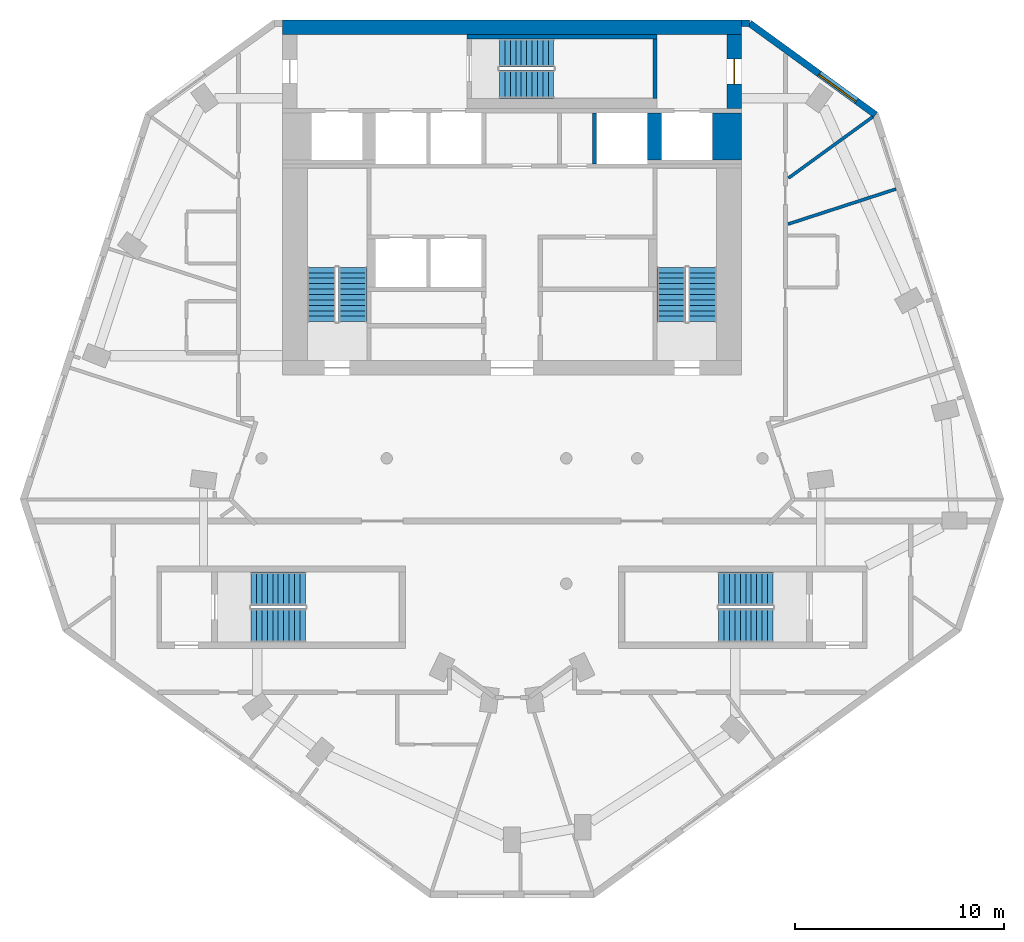
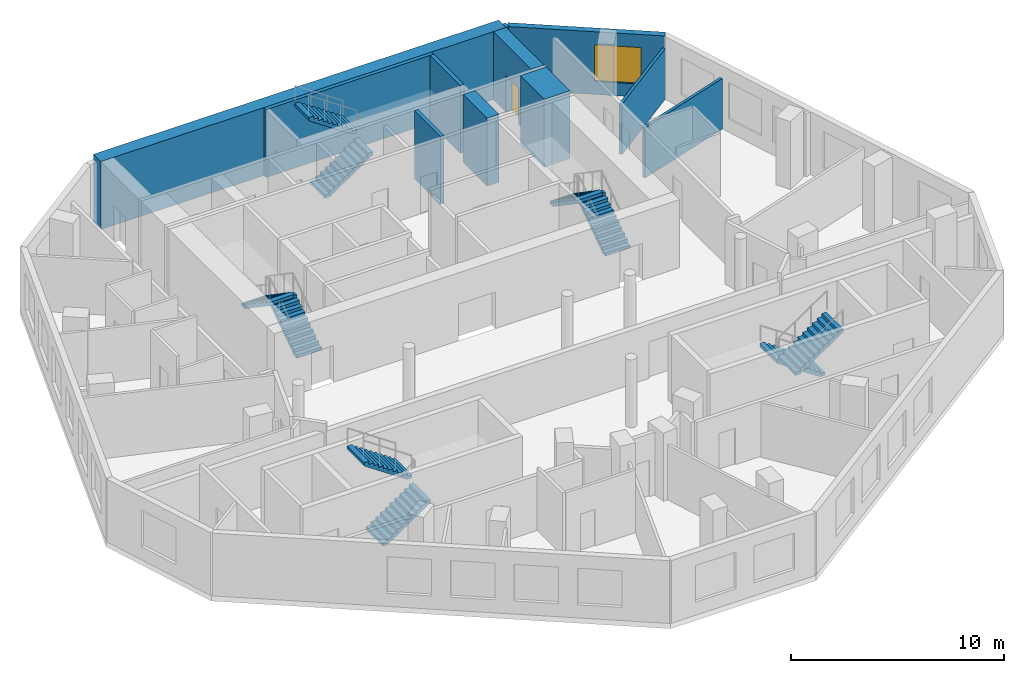
# One storey, part 6 of 8: 11 walls, 10 stair flights, 1 door, 1 window, 2 openings, 5 elements without a shape of their own.
"""IFC4 building model written with IfcOpenShell, lengths in metres."""

from ifc_helpers import new_model, si_unit, direction, frame, frame_2d, origin, place, context, subcontext, project, spatial, polyline, rectangle, outline, extrude, material, layer, layer_set, type_object, element, fill, aggregate, save


model = new_model("IFC4")

# Units and contexts
model_context = context("Model", 3, precision=1e-05, world=origin(), true_north=direction((0.0, 1.0)))
body_context = subcontext(model_context, "Body", "Model", "MODEL_VIEW")
ifc_project = project(units=[si_unit("LENGTHUNIT", "METRE"), si_unit("AREAUNIT", "SQUARE_METRE"), si_unit("VOLUMEUNIT", "CUBIC_METRE"), si_unit("PLANEANGLEUNIT", "RADIAN"), si_unit("MASSUNIT", "GRAM", prefix="KILO")], contexts=[model_context])

# Site, building, storey
site_placement = place(None, origin())
site = spatial("IfcSite", under=ifc_project, at=site_placement, CompositionType="ELEMENT")
building_placement = place(site_placement, origin())
building = spatial("IfcBuilding", under=site, at=building_placement, Name="White Candle Pilgrim Tower", CompositionType="ELEMENT")
storey_placement = place(building_placement, frame((0.0, 0.0, 267.800048828125)))
storey = spatial("IfcBuildingStorey", under=building, at=storey_placement, Name="L63", CompositionType="ELEMENT", Elevation=267.800048828125)

# Wall
ifc_material_1 = material(Name="Concrete C50/60", Category="concrete")
ifc_layer_1 = layer(ifc_material_1, 1.39990234375)
ifc_layer_set_1 = layer_set([ifc_layer_1], Name="Core wall 1400 mm Concrete C50/60")
wall_type_1 = type_object("IfcWallType", Name="Core wall 1400 mm Concrete C50/60", PredefinedType="SHEAR", material=ifc_layer_set_1)
wall_1_placement = place(storey_placement, frame((80.300048828125, 81.300048828125, 0.0), z_axis=(0.0, 0.0, 1.0), x_axis=(0.0, 1.0, 0.0)))
element("IfcWall", 1, at=wall_1_placement, inside=storey, type_object=wall_type_1, Name="WL-L63-C42", PredefinedType="SHEAR", context=body_context, shape_type="SweptSolid", body=[
    extrude(rectangle(XDim=2.25, YDim=1.39990234375, at=frame_2d((1.125, 0.0))), origin(), (0.0, 0.0, 1.0), 3.89990234375),
])

# Wall, opening, door
ifc_layer_2 = layer(ifc_material_1, 0.699951171875)
ifc_layer_set_2 = layer_set([ifc_layer_2], Name="Core wall 700 mm Concrete C50/60")
wall_type_2 = type_object("IfcWallType", Name="Core wall 700 mm Concrete C50/60", PredefinedType="SHEAR", material=ifc_layer_set_2)
wall_2_placement = place(storey_placement, frame((80.64990234375, 83.75, 0.0), z_axis=(0.0, 0.0, 1.0), x_axis=(0.0, 1.0, 0.0)))
wall_2 = element("IfcWall", 2, at=wall_2_placement, inside=storey, type_object=wall_type_2, Name="WL-L63-C46", PredefinedType="SHEAR", context=body_context, shape_type="SweptSolid", body=[
    extrude(rectangle(XDim=3.550048828125, YDim=0.699951171875, at=frame_2d((1.77490234375, 0.0))), origin(), (0.0, 0.0, 1.0), 3.89990234375),
])
opening_1_placement = place(wall_2_placement, frame((1.175048828125, 0.0, 0.0)))
opening_1 = element("IfcOpeningElement", 3, at=opening_1_placement, cuts=wall_2, Name="Opening T19-009", PredefinedType="OPENING", context=body_context, shape_type="SweptSolid", body=[
    extrude(rectangle(XDim=1.199951171875, YDim=2.10009765625, at=frame_2d((0.60009765625, 1.050048828125))), frame((0.0, 0.35986328125, 0.0), z_axis=(0.0, -1.0, 0.0), x_axis=(1.0, 0.0, 0.0)), (0.0, 0.0, 1.0), 0.719970703125),
])
ifc_material_2 = material(Name="Steel door leaf", Category="steel")
door_type = type_object("IfcDoorType", Name="Fire door 1200 x 2100 EI 30", OperationType="NOTDEFINED", PredefinedType="DOOR", material=ifc_material_2)
door_placement = place(opening_1_placement, origin())
door = element("IfcDoor", 4, at=door_placement, inside=storey, type_object=door_type, Name="Door T19-009", OperationType="SINGLE_SWING_LEFT", OverallHeight=2.10009765625, OverallWidth=1.199951171875, PredefinedType="DOOR", context=body_context, shape_type="SweptSolid", body=[
    extrude(rectangle(XDim=1.199951171875, YDim=2.10009765625, at=frame_2d((0.60009765625, 1.050048828125))), frame((0.0, 0.02490234375, 0.0), z_axis=(0.0, -1.0, 0.0), x_axis=(1.0, 0.0, 0.0)), (0.0, 0.0, 1.0), 0.050048828125),
])
fill(opening_1, door)

# Wall
wall_3_placement = place(storey_placement, frame((59.0, 87.64990234375, 0.0), z_axis=(0.0, 0.0, 1.0), x_axis=(1.0, 0.0, 0.0)))
element("IfcWall", 5, at=wall_3_placement, inside=storey, type_object=wall_type_2, Name="WL-L63-C50", PredefinedType="SHEAR", context=body_context, shape_type="SweptSolid", body=[
    extrude(rectangle(XDim=22.0, YDim=0.699951171875, at=frame_2d((11.0, 0.0))), origin(), (0.0, 0.0, 1.0), 3.89990234375),
])

# Wall, opening, window
ifc_material_3 = material(Name="Precast concrete C40/50", Category="concrete")
ifc_layer_3 = layer(ifc_material_3, 0.320068359375)
ifc_layer_set_3 = layer_set([ifc_layer_3], Name="Facade wall EW1 precast concrete C40/50 pier wall with timber-lined reveals")
wall_type_3 = type_object("IfcWallType", Name="Facade wall EW1 precast concrete C40/50 pier wall with timber-lined reveals", PredefinedType="SOLIDWALL", material=ifc_layer_set_3)
wall_4_placement = place(storey_placement, frame((87.41552734375, 83.45849609375, 0.0), z_axis=(0.0, 0.0, 1.0), x_axis=(-0.80900651237, 0.587799679264, 0.0)))
wall_4 = element("IfcWall", 6, at=wall_4_placement, inside=storey, type_object=wall_type_3, Name="Facade wall L63 NE chamfer", PredefinedType="SOLIDWALL", context=body_context, shape_type="SweptSolid", body=[
    extrude(rectangle(XDim=7.454345703125, YDim=0.320068359375, at=frame_2d((3.72705078125, 0.0))), origin(), (0.0, 0.0, 1.0), 3.599853515625),
])
opening_2_placement = place(wall_4_placement, frame((1.127197265625, 0.0, 0.75)))
opening_2 = element("IfcOpeningElement", 7, at=opening_2_placement, cuts=wall_4, Name="Opening W4", PredefinedType="OPENING", context=body_context, shape_type="SweptSolid", body=[
    extrude(rectangle(XDim=2.199951171875, YDim=2.10009765625, at=frame_2d((1.10009765625, 1.050048828125))), frame((0.0, 0.169921875, 0.0), z_axis=(0.0, -1.0, 0.0), x_axis=(1.0, 0.0, 0.0)), (0.0, 0.0, 1.0), 0.340087890625),
])
ifc_material_4 = material(Name="Timber frame with triple glazing", Category="wood")
window_type = type_object("IfcWindowType", Name="Window W4 2200x2100 timber frame triple glazing", PartitioningType="SINGLE_PANEL", PredefinedType="WINDOW", material=ifc_material_4)
window_placement = place(opening_2_placement, origin())
window = element("IfcWindow", 8, at=window_placement, inside=storey, type_object=window_type, Name="Window W4 L63 NE chamfer 1", OverallHeight=2.10009765625, OverallWidth=2.199951171875, PartitioningType="SINGLE_PANEL", PredefinedType="WINDOW", context=body_context, shape_type="SweptSolid", body=[
    extrude(rectangle(XDim=2.199951171875, YDim=2.10009765625, at=frame_2d((1.10009765625, 1.050048828125))), frame((0.0, 0.070068359375, 0.0), z_axis=(0.0, -1.0, 0.0), x_axis=(1.0, 0.0, 0.0)), (0.0, 0.0, 1.0), 0.06005859375),
])
fill(opening_2, window)

# Walls
wall_5_placement = place(storey_placement, frame((81.385009765625, 87.840087890625, 0.0), z_axis=(0.0, 0.0, 1.0), x_axis=(-1.0, 0.0, 0.0)))
element("IfcWall", 9, at=wall_5_placement, inside=storey, type_object=wall_type_3, Name="Facade wall L63 N", PredefinedType="SOLIDWALL", context=body_context, shape_type="SweptSolid", body=[
    extrude(rectangle(XDim=0.385009765625, YDim=0.320068359375, at=frame_2d((0.1923828125, 0.0))), origin(), (0.0, 0.0, 1.0), 3.599853515625),
])
ifc_material_5 = material(Name="Gypsum board on steel studs", Category="steel")
ifc_layer_4 = layer(ifc_material_5, 0.14990234375)
ifc_layer_set_4 = layer_set([ifc_layer_4], Name="Partition 150 mm EI 60")
wall_type_4 = type_object("IfcWallType", Name="Partition 150 mm EI 60", PredefinedType="PARTITIONING", material=ifc_layer_set_4)
wall_6_placement = place(storey_placement, frame((87.279541015625, 83.359619140625, 0.0), z_axis=(0.0, 0.0, 1.0), x_axis=(-0.809017493514, -0.587784565286, 0.0)))
element("IfcWall", 10, at=wall_6_placement, inside=storey, type_object=wall_type_4, Name="WL-L63-P028", PredefinedType="PARTITIONING", context=body_context, shape_type="SweptSolid", body=[
    extrude(rectangle(XDim=4.988037109375, YDim=0.14990234375, at=frame_2d((2.494140625, 0.0))), origin(), (0.0, 0.0, 1.0), 2.89990234375),
])
wall_7_placement = place(storey_placement, frame((88.402099609375, 79.905029296875, 0.0), z_axis=(0.0, 0.0, 1.0), x_axis=(-0.951063387755, -0.308995845397, 0.0)))
element("IfcWall", 11, at=wall_7_placement, inside=storey, type_object=wall_type_4, Name="WL-L63-P043", PredefinedType="PARTITIONING", context=body_context, shape_type="SweptSolid", body=[
    extrude(rectangle(XDim=5.445556640625, YDim=0.14990234375, at=frame_2d((2.72265625, 0.0))), origin(), (0.0, 0.0, 1.0), 2.89990234375),
])
ifc_layer_5 = layer(ifc_material_1, 0.199951171875)
ifc_layer_set_5 = layer_set([ifc_layer_5], Name="Shaft wall 200 mm Concrete C50/60")
wall_type_5 = type_object("IfcWallType", Name="Shaft wall 200 mm Concrete C50/60", PredefinedType="SHEAR", material=ifc_layer_set_5)
wall_8_placement = place(storey_placement, frame((73.949951171875, 81.10009765625, 0.0), z_axis=(0.0, 0.0, 1.0), x_axis=(0.0, 1.0, 0.0)))
element("IfcWall", 12, at=wall_8_placement, inside=storey, type_object=wall_type_5, Name="WL-L63-C37", PredefinedType="SHEAR", context=body_context, shape_type="SweptSolid", body=[
    extrude(rectangle(XDim=2.449951171875, YDim=0.199951171875, at=frame_2d((1.22509765625, 0.0))), origin(), (0.0, 0.0, 1.0), 3.89990234375),
])
ifc_layer_6 = layer(ifc_material_1, 0.64990234375)
ifc_layer_set_6 = layer_set([ifc_layer_6], Name="Shaft wall 650 mm Concrete C50/60")
wall_type_6 = type_object("IfcWallType", Name="Shaft wall 650 mm Concrete C50/60", PredefinedType="SHEAR", material=ifc_layer_set_6)
wall_9_placement = place(storey_placement, frame((76.824951171875, 81.300048828125, 0.0), z_axis=(0.0, 0.0, 1.0), x_axis=(0.0, 1.0, 0.0)))
element("IfcWall", 13, at=wall_9_placement, inside=storey, type_object=wall_type_6, Name="WL-L63-C41", PredefinedType="SHEAR", context=body_context, shape_type="SweptSolid", body=[
    extrude(rectangle(XDim=2.25, YDim=0.64990234375, at=frame_2d((1.125, 0.0))), origin(), (0.0, 0.0, 1.0), 3.89990234375),
])
ifc_layer_7 = layer(ifc_material_1, 0.199951171875)
ifc_layer_set_7 = layer_set([ifc_layer_7], Name="Stair shaft wall 200 mm Concrete C50/60")
wall_type_7 = type_object("IfcWallType", Name="Stair shaft wall 200 mm Concrete C50/60", PredefinedType="SHEAR", material=ifc_layer_set_7)
wall_10_placement = place(storey_placement, frame((76.85009765625, 84.25, 0.0), z_axis=(0.0, 0.0, 1.0), x_axis=(0.0, 1.0, 0.0)))
element("IfcWall", 14, at=wall_10_placement, inside=storey, type_object=wall_type_7, Name="WL-L63-C48", PredefinedType="SHEAR", context=body_context, shape_type="SweptSolid", body=[
    extrude(rectangle(XDim=2.85009765625, YDim=0.199951171875, at=frame_2d((1.425048828125, 0.0))), origin(), (0.0, 0.0, 1.0), 3.89990234375),
])
wall_11_placement = place(storey_placement, frame((67.85009765625, 87.199951171875, 0.0), z_axis=(0.0, 0.0, 1.0), x_axis=(1.0, 0.0, 0.0)))
element("IfcWall", 15, at=wall_11_placement, inside=storey, type_object=wall_type_7, Name="WL-L63-C49", PredefinedType="SHEAR", context=body_context, shape_type="SweptSolid", body=[
    extrude(rectangle(XDim=9.099853515625, YDim=0.199951171875, at=frame_2d((4.5498046875, 0.0))), origin(), (0.0, 0.0, 1.0), 3.89990234375),
])

# Stair, stair flights
ifc_material_6 = material(Name="Concrete C40/50", Category="concrete")
stair_type_1 = type_object("IfcStairType", Name="Exit stair 1 flight width 1350 mm", PredefinedType="HALF_TURN_STAIR", material=ifc_material_6)
stair_1_placement = place(storey_placement, origin())
stair_1 = element("IfcStair", 16, at=stair_1_placement, inside=storey, type_object=stair_type_1, Name="L63 stair 1", PredefinedType="NOTDEFINED")
ifc_layer_8 = layer(ifc_material_6, 0.14990234375)
ifc_layer_set_8 = layer_set([ifc_layer_8], Name="Stair flight Concrete C40/50")
stair_flight_type = type_object("IfcStairFlightType", Name="Stair flight Concrete C40/50", PredefinedType="STRAIGHT", material=ifc_layer_set_8)
stair_flight_1_placement = place(storey_placement, frame((62.375, 73.550048828125, 0.0), z_axis=(0.0, 0.0, 1.0), x_axis=(0.0, 1.0, 0.0)))
stair_flight_1 = element("IfcStairFlight", 17, at=stair_flight_1_placement, type_object=stair_flight_type, Name="ST1 flight 1", NumberOfRisers=11, NumberOfTreads=10, PredefinedType="NOTDEFINED", RiserHeight=0.177272727, TreadLength=0.26, context=body_context, shape_type="SweptSolid", body=[
    extrude(outline(polyline([(0.0, 0.0), (0.0, 0.17724609375), (0.260009765625, 0.17724609375), (0.260009765625, 0.3544921875), (0.52001953125, 0.3544921875), (0.52001953125, 0.53173828125), (0.780029296875, 0.53173828125), (0.780029296875, 0.708984375), (1.0400390625, 0.708984375), (1.0400390625, 0.886474609375), (1.300048828125, 0.886474609375), (1.300048828125, 1.063720703125), (1.56005859375, 1.063720703125), (1.56005859375, 1.240966796875), (1.820068359375, 1.240966796875), (1.820068359375, 1.418212890625), (2.080078125, 1.418212890625), (2.080078125, 1.595458984375), (2.340087890625, 1.595458984375), (2.340087890625, 1.772705078125), (2.60009765625, 1.772705078125), (2.60009765625, 1.949951171875), (2.60009765625, 1.59130859375), (0.26611328125, 0.0), (0.0, 0.0)])), frame((0.0, 0.675048828125, 0.0), z_axis=(0.0, -1.0, 0.0), x_axis=(1.0, 0.0, 0.0)), (0.0, 0.0, 1.0), 1.35009765625),
])
stair_flight_2_placement = place(storey_placement, frame((60.875, 76.14990234375, 1.949951171875), z_axis=(0.0, 0.0, 1.0), x_axis=(0.0, -1.0, 0.0)))
stair_flight_2 = element("IfcStairFlight", 18, at=stair_flight_2_placement, type_object=stair_flight_type, Name="ST1 flight 2", NumberOfRisers=11, NumberOfTreads=10, PredefinedType="NOTDEFINED", RiserHeight=0.177272727, TreadLength=0.26, context=body_context, shape_type="SweptSolid", body=[
    extrude(outline(polyline([(0.0, 0.0), (0.0, 0.17724609375), (0.260009765625, 0.17724609375), (0.260009765625, 0.3544921875), (0.52001953125, 0.3544921875), (0.52001953125, 0.53173828125), (0.780029296875, 0.53173828125), (0.780029296875, 0.708984375), (1.0400390625, 0.708984375), (1.0400390625, 0.886474609375), (1.300048828125, 0.886474609375), (1.300048828125, 1.063720703125), (1.56005859375, 1.063720703125), (1.56005859375, 1.240966796875), (1.820068359375, 1.240966796875), (1.820068359375, 1.418212890625), (2.080078125, 1.418212890625), (2.080078125, 1.595458984375), (2.340087890625, 1.595458984375), (2.340087890625, 1.772705078125), (2.60009765625, 1.772705078125), (2.60009765625, 1.949951171875), (2.60009765625, 1.59130859375), (0.26611328125, 0.0), (0.0, 0.0)])), frame((0.0, 0.675048828125, 0.0), z_axis=(0.0, -1.0, 0.0), x_axis=(1.0, 0.0, 0.0)), (0.0, 0.0, 1.0), 1.35009765625),
])
aggregate(stair_1, [stair_flight_1, stair_flight_2])

stair_type_2 = type_object("IfcStairType", Name="Exit stair 2 flight width 1350 mm", PredefinedType="HALF_TURN_STAIR", material=ifc_material_6)
stair_2_placement = place(storey_placement, origin())
stair_2 = element("IfcStair", 19, at=stair_2_placement, inside=storey, type_object=stair_type_2, Name="L63 stair 2", PredefinedType="NOTDEFINED")
stair_flight_3_placement = place(storey_placement, frame((79.125, 73.550048828125, 0.0), z_axis=(0.0, 0.0, 1.0), x_axis=(0.0, 1.0, 0.0)))
stair_flight_3 = element("IfcStairFlight", 20, at=stair_flight_3_placement, type_object=stair_flight_type, Name="ST2 flight 1", NumberOfRisers=11, NumberOfTreads=10, PredefinedType="NOTDEFINED", RiserHeight=0.177272727, TreadLength=0.26, context=body_context, shape_type="SweptSolid", body=[
    extrude(outline(polyline([(0.0, 0.0), (0.0, 0.17724609375), (0.260009765625, 0.17724609375), (0.260009765625, 0.3544921875), (0.52001953125, 0.3544921875), (0.52001953125, 0.53173828125), (0.780029296875, 0.53173828125), (0.780029296875, 0.708984375), (1.0400390625, 0.708984375), (1.0400390625, 0.886474609375), (1.300048828125, 0.886474609375), (1.300048828125, 1.063720703125), (1.56005859375, 1.063720703125), (1.56005859375, 1.240966796875), (1.820068359375, 1.240966796875), (1.820068359375, 1.418212890625), (2.080078125, 1.418212890625), (2.080078125, 1.595458984375), (2.340087890625, 1.595458984375), (2.340087890625, 1.772705078125), (2.60009765625, 1.772705078125), (2.60009765625, 1.949951171875), (2.60009765625, 1.59130859375), (0.26611328125, 0.0), (0.0, 0.0)])), frame((0.0, 0.675048828125, 0.0), z_axis=(0.0, -1.0, 0.0), x_axis=(1.0, 0.0, 0.0)), (0.0, 0.0, 1.0), 1.35009765625),
])
stair_flight_4_placement = place(storey_placement, frame((77.625, 76.14990234375, 1.949951171875), z_axis=(0.0, 0.0, 1.0), x_axis=(0.0, -1.0, 0.0)))
stair_flight_4 = element("IfcStairFlight", 21, at=stair_flight_4_placement, type_object=stair_flight_type, Name="ST2 flight 2", NumberOfRisers=11, NumberOfTreads=10, PredefinedType="NOTDEFINED", RiserHeight=0.177272727, TreadLength=0.26, context=body_context, shape_type="SweptSolid", body=[
    extrude(outline(polyline([(0.0, 0.0), (0.0, 0.17724609375), (0.260009765625, 0.17724609375), (0.260009765625, 0.3544921875), (0.52001953125, 0.3544921875), (0.52001953125, 0.53173828125), (0.780029296875, 0.53173828125), (0.780029296875, 0.708984375), (1.0400390625, 0.708984375), (1.0400390625, 0.886474609375), (1.300048828125, 0.886474609375), (1.300048828125, 1.063720703125), (1.56005859375, 1.063720703125), (1.56005859375, 1.240966796875), (1.820068359375, 1.240966796875), (1.820068359375, 1.418212890625), (2.080078125, 1.418212890625), (2.080078125, 1.595458984375), (2.340087890625, 1.595458984375), (2.340087890625, 1.772705078125), (2.60009765625, 1.772705078125), (2.60009765625, 1.949951171875), (2.60009765625, 1.59130859375), (0.26611328125, 0.0), (0.0, 0.0)])), frame((0.0, 0.675048828125, 0.0), z_axis=(0.0, -1.0, 0.0), x_axis=(1.0, 0.0, 0.0)), (0.0, 0.0, 1.0), 1.35009765625),
])
aggregate(stair_2, [stair_flight_3, stair_flight_4])

stair_type_3 = type_object("IfcStairType", Name="Exit stair 3 flight width 1350 mm", PredefinedType="HALF_TURN_STAIR", material=ifc_material_6)
stair_3_placement = place(storey_placement, origin())
stair_3 = element("IfcStair", 22, at=stair_3_placement, inside=storey, type_object=stair_type_3, Name="L63 stair 3", PredefinedType="NOTDEFINED")
stair_flight_5_placement = place(storey_placement, frame((69.39990234375, 84.925048828125, 0.0), z_axis=(0.0, 0.0, 1.0), x_axis=(1.0, 0.0, 0.0)))
stair_flight_5 = element("IfcStairFlight", 23, at=stair_flight_5_placement, type_object=stair_flight_type, Name="ST3 flight 1", NumberOfRisers=11, NumberOfTreads=10, PredefinedType="NOTDEFINED", RiserHeight=0.177272727, TreadLength=0.26, context=body_context, shape_type="SweptSolid", body=[
    extrude(outline(polyline([(0.0, 0.0), (0.0, 0.17724609375), (0.260009765625, 0.17724609375), (0.260009765625, 0.3544921875), (0.52001953125, 0.3544921875), (0.52001953125, 0.53173828125), (0.780029296875, 0.53173828125), (0.780029296875, 0.708984375), (1.0400390625, 0.708984375), (1.0400390625, 0.886474609375), (1.300048828125, 0.886474609375), (1.300048828125, 1.063720703125), (1.56005859375, 1.063720703125), (1.56005859375, 1.240966796875), (1.820068359375, 1.240966796875), (1.820068359375, 1.418212890625), (2.080078125, 1.418212890625), (2.080078125, 1.595458984375), (2.340087890625, 1.595458984375), (2.340087890625, 1.772705078125), (2.60009765625, 1.772705078125), (2.60009765625, 1.949951171875), (2.60009765625, 1.59130859375), (0.26611328125, 0.0), (0.0, 0.0)])), frame((0.0, 0.675048828125, 0.0), z_axis=(0.0, -1.0, 0.0), x_axis=(1.0, 0.0, 0.0)), (0.0, 0.0, 1.0), 1.35009765625),
])
stair_flight_6_placement = place(storey_placement, frame((72.0, 86.425048828125, 1.949951171875), z_axis=(0.0, 0.0, 1.0), x_axis=(-1.0, 0.0, 0.0)))
stair_flight_6 = element("IfcStairFlight", 24, at=stair_flight_6_placement, type_object=stair_flight_type, Name="ST3 flight 2", NumberOfRisers=11, NumberOfTreads=10, PredefinedType="NOTDEFINED", RiserHeight=0.177272727, TreadLength=0.26, context=body_context, shape_type="SweptSolid", body=[
    extrude(outline(polyline([(0.0, 0.0), (0.0, 0.17724609375), (0.260009765625, 0.17724609375), (0.260009765625, 0.3544921875), (0.52001953125, 0.3544921875), (0.52001953125, 0.53173828125), (0.780029296875, 0.53173828125), (0.780029296875, 0.708984375), (1.0400390625, 0.708984375), (1.0400390625, 0.886474609375), (1.300048828125, 0.886474609375), (1.300048828125, 1.063720703125), (1.56005859375, 1.063720703125), (1.56005859375, 1.240966796875), (1.820068359375, 1.240966796875), (1.820068359375, 1.418212890625), (2.080078125, 1.418212890625), (2.080078125, 1.595458984375), (2.340087890625, 1.595458984375), (2.340087890625, 1.772705078125), (2.60009765625, 1.772705078125), (2.60009765625, 1.949951171875), (2.60009765625, 1.59130859375), (0.26611328125, 0.0), (0.0, 0.0)])), frame((0.0, 0.675048828125, 0.0), z_axis=(0.0, -1.0, 0.0), x_axis=(1.0, 0.0, 0.0)), (0.0, 0.0, 1.0), 1.35009765625),
])
aggregate(stair_3, [stair_flight_5, stair_flight_6])

stair_type_4 = type_object("IfcStairType", Name="Exit stair 4 flight width 1600 mm", PredefinedType="HALF_TURN_STAIR", material=ifc_material_6)
stair_4_placement = place(storey_placement, origin())
stair_4 = element("IfcStair", 25, at=stair_4_placement, inside=storey, type_object=stair_type_4, Name="L63 stair 4", PredefinedType="NOTDEFINED")
stair_flight_7_placement = place(storey_placement, frame((82.5, 60.75, 0.0), z_axis=(0.0, 0.0, 1.0), x_axis=(-1.0, 0.0, 0.0)))
stair_flight_7 = element("IfcStairFlight", 26, at=stair_flight_7_placement, type_object=stair_flight_type, Name="ST4 flight 1", NumberOfRisers=11, NumberOfTreads=10, PredefinedType="NOTDEFINED", RiserHeight=0.177272727, TreadLength=0.26, context=body_context, shape_type="SweptSolid", body=[
    extrude(outline(polyline([(0.0, 0.0), (0.0, 0.17724609375), (0.260009765625, 0.17724609375), (0.260009765625, 0.3544921875), (0.52001953125, 0.3544921875), (0.52001953125, 0.53173828125), (0.780029296875, 0.53173828125), (0.780029296875, 0.708984375), (1.0400390625, 0.708984375), (1.0400390625, 0.886474609375), (1.300048828125, 0.886474609375), (1.300048828125, 1.063720703125), (1.56005859375, 1.063720703125), (1.56005859375, 1.240966796875), (1.820068359375, 1.240966796875), (1.820068359375, 1.418212890625), (2.080078125, 1.418212890625), (2.080078125, 1.595458984375), (2.340087890625, 1.595458984375), (2.340087890625, 1.772705078125), (2.60009765625, 1.772705078125), (2.60009765625, 1.949951171875), (2.60009765625, 1.59130859375), (0.26611328125, 0.0), (0.0, 0.0)])), frame((0.0, 0.800048828125, 0.0), z_axis=(0.0, -1.0, 0.0), x_axis=(1.0, 0.0, 0.0)), (0.0, 0.0, 1.0), 1.60009765625),
])
stair_flight_8_placement = place(storey_placement, frame((79.89990234375, 59.0, 1.949951171875), z_axis=(0.0, 0.0, 1.0), x_axis=(1.0, 0.0, 0.0)))
stair_flight_8 = element("IfcStairFlight", 27, at=stair_flight_8_placement, type_object=stair_flight_type, Name="ST4 flight 2", NumberOfRisers=11, NumberOfTreads=10, PredefinedType="NOTDEFINED", RiserHeight=0.177272727, TreadLength=0.26, context=body_context, shape_type="SweptSolid", body=[
    extrude(outline(polyline([(0.0, 0.0), (0.0, 0.17724609375), (0.260009765625, 0.17724609375), (0.260009765625, 0.3544921875), (0.52001953125, 0.3544921875), (0.52001953125, 0.53173828125), (0.780029296875, 0.53173828125), (0.780029296875, 0.708984375), (1.0400390625, 0.708984375), (1.0400390625, 0.886474609375), (1.300048828125, 0.886474609375), (1.300048828125, 1.063720703125), (1.56005859375, 1.063720703125), (1.56005859375, 1.240966796875), (1.820068359375, 1.240966796875), (1.820068359375, 1.418212890625), (2.080078125, 1.418212890625), (2.080078125, 1.595458984375), (2.340087890625, 1.595458984375), (2.340087890625, 1.772705078125), (2.60009765625, 1.772705078125), (2.60009765625, 1.949951171875), (2.60009765625, 1.59130859375), (0.26611328125, 0.0), (0.0, 0.0)])), frame((0.0, 0.800048828125, 0.0), z_axis=(0.0, -1.0, 0.0), x_axis=(1.0, 0.0, 0.0)), (0.0, 0.0, 1.0), 1.60009765625),
])
aggregate(stair_4, [stair_flight_7, stair_flight_8])

stair_type_5 = type_object("IfcStairType", Name="Exit stair 5 flight width 1600 mm", PredefinedType="HALF_TURN_STAIR", material=ifc_material_6)
stair_5_placement = place(storey_placement, origin())
stair_5 = element("IfcStair", 28, at=stair_5_placement, inside=storey, type_object=stair_type_5, Name="L63 stair 5", PredefinedType="NOTDEFINED")
stair_flight_9_placement = place(storey_placement, frame((57.5, 59.0, 0.0), z_axis=(0.0, 0.0, 1.0), x_axis=(1.0, 0.0, 0.0)))
stair_flight_9 = element("IfcStairFlight", 29, at=stair_flight_9_placement, type_object=stair_flight_type, Name="ST5 flight 1", NumberOfRisers=11, NumberOfTreads=10, PredefinedType="NOTDEFINED", RiserHeight=0.177272727, TreadLength=0.26, context=body_context, shape_type="SweptSolid", body=[
    extrude(outline(polyline([(0.0, 0.0), (0.0, 0.17724609375), (0.260009765625, 0.17724609375), (0.260009765625, 0.3544921875), (0.52001953125, 0.3544921875), (0.52001953125, 0.53173828125), (0.780029296875, 0.53173828125), (0.780029296875, 0.708984375), (1.0400390625, 0.708984375), (1.0400390625, 0.886474609375), (1.300048828125, 0.886474609375), (1.300048828125, 1.063720703125), (1.56005859375, 1.063720703125), (1.56005859375, 1.240966796875), (1.820068359375, 1.240966796875), (1.820068359375, 1.418212890625), (2.080078125, 1.418212890625), (2.080078125, 1.595458984375), (2.340087890625, 1.595458984375), (2.340087890625, 1.772705078125), (2.60009765625, 1.772705078125), (2.60009765625, 1.949951171875), (2.60009765625, 1.59130859375), (0.26611328125, 0.0), (0.0, 0.0)])), frame((0.0, 0.800048828125, 0.0), z_axis=(0.0, -1.0, 0.0), x_axis=(1.0, 0.0, 0.0)), (0.0, 0.0, 1.0), 1.60009765625),
])
stair_flight_10_placement = place(storey_placement, frame((60.10009765625, 60.75, 1.949951171875), z_axis=(0.0, 0.0, 1.0), x_axis=(-1.0, 0.0, 0.0)))
stair_flight_10 = element("IfcStairFlight", 30, at=stair_flight_10_placement, type_object=stair_flight_type, Name="ST5 flight 2", NumberOfRisers=11, NumberOfTreads=10, PredefinedType="NOTDEFINED", RiserHeight=0.177272727, TreadLength=0.26, context=body_context, shape_type="SweptSolid", body=[
    extrude(outline(polyline([(0.0, 0.0), (0.0, 0.17724609375), (0.260009765625, 0.17724609375), (0.260009765625, 0.3544921875), (0.52001953125, 0.3544921875), (0.52001953125, 0.53173828125), (0.780029296875, 0.53173828125), (0.780029296875, 0.708984375), (1.0400390625, 0.708984375), (1.0400390625, 0.886474609375), (1.300048828125, 0.886474609375), (1.300048828125, 1.063720703125), (1.56005859375, 1.063720703125), (1.56005859375, 1.240966796875), (1.820068359375, 1.240966796875), (1.820068359375, 1.418212890625), (2.080078125, 1.418212890625), (2.080078125, 1.595458984375), (2.340087890625, 1.595458984375), (2.340087890625, 1.772705078125), (2.60009765625, 1.772705078125), (2.60009765625, 1.949951171875), (2.60009765625, 1.59130859375), (0.26611328125, 0.0), (0.0, 0.0)])), frame((0.0, 0.800048828125, 0.0), z_axis=(0.0, -1.0, 0.0), x_axis=(1.0, 0.0, 0.0)), (0.0, 0.0, 1.0), 1.60009765625),
])
aggregate(stair_5, [stair_flight_9, stair_flight_10])

save(model, "model.ifc")
